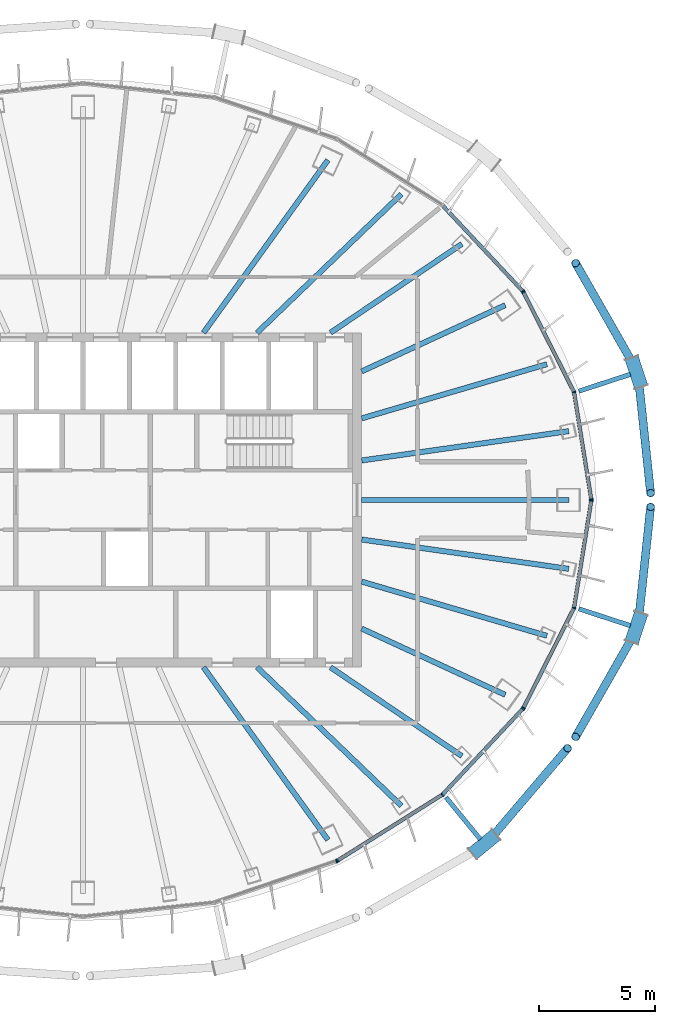
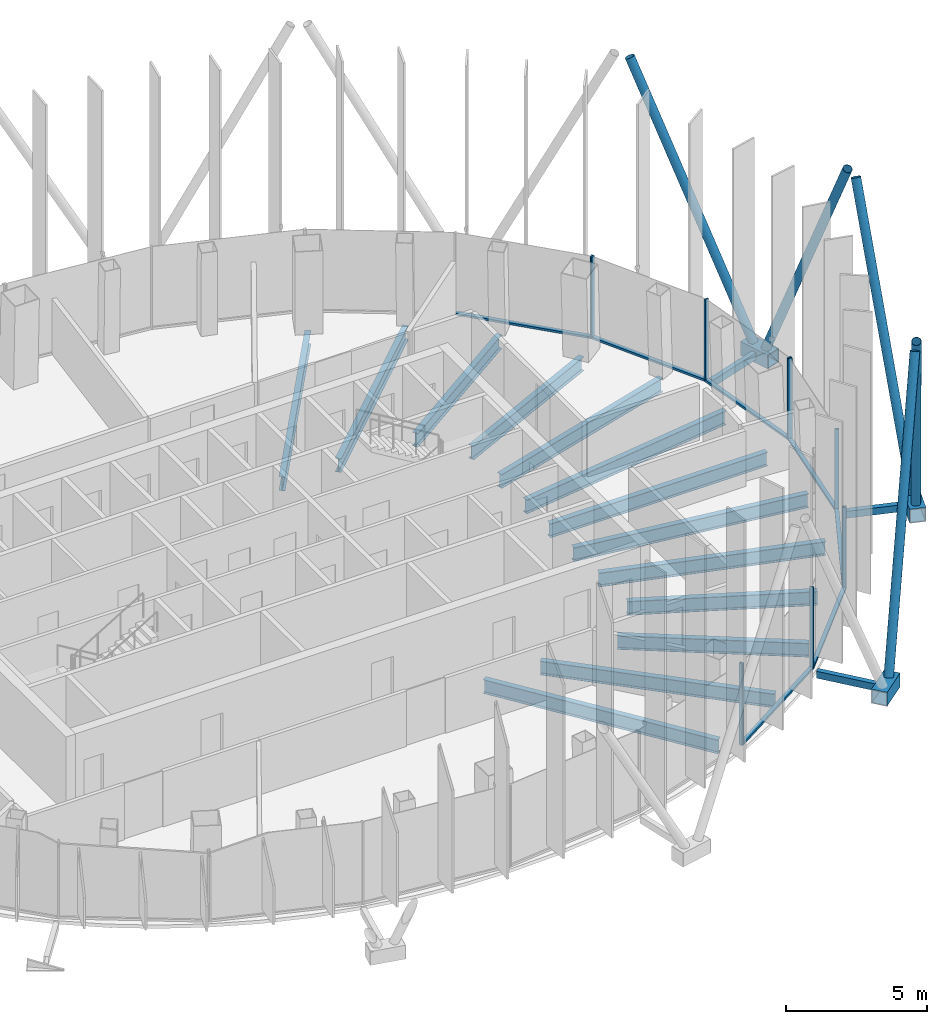
# One storey, part 6 of 19: 29 members, 13 beams, 5 elements without a shape of their own.
"""IFC4 building model written with IfcOpenShell, lengths in metres."""

from ifc_helpers import new_model, si_unit, direction, frame, origin, origin_2d, place, context, subcontext, project, spatial, rectangle, hollow_rectangle, hollow_circle, i_section, extrude, material, layer, layer_set, material_profile, profile_set, type_object, element, aggregate, save


model = new_model("IFC4")

# Units and contexts
model_context = context("Model", 3, precision=1e-05, world=origin(), true_north=direction((0.0, 1.0)))
body_context = subcontext(model_context, "Body", "Model", "MODEL_VIEW")
ifc_project = project(units=[si_unit("LENGTHUNIT", "METRE"), si_unit("AREAUNIT", "SQUARE_METRE"), si_unit("VOLUMEUNIT", "CUBIC_METRE"), si_unit("PLANEANGLEUNIT", "RADIAN"), si_unit("MASSUNIT", "GRAM", prefix="KILO")], contexts=[model_context])

# Site, building, storey
site_placement = place(None, origin())
site = spatial("IfcSite", under=ifc_project, at=site_placement, CompositionType="ELEMENT")
building_placement = place(site_placement, origin())
building = spatial("IfcBuilding", under=site, at=building_placement, Name="Siaravel Broadcast Tower", CompositionType="ELEMENT")
storey_placement = place(building_placement, frame((0.0, 0.0, 217.10009765625)))
storey = spatial("IfcBuildingStorey", under=building, at=storey_placement, Name="L52", CompositionType="ELEMENT", Elevation=217.10009765625)

# Beams
ifc_material_1 = material(Name="Steel S355", Category="steel")
ifc_material_profile_1 = material_profile(ifc_material_1, i_section(OverallWidth=0.2275390625, OverallDepth=0.6025390625, WebThickness=0.010498046875, FlangeThickness=0.014892578125, FilletRadius=0.0126953125, at=origin_2d()))
ifc_profile_set_1 = profile_set([ifc_material_profile_1], Name="Steel S355")
beam_type = type_object("IfcBeamType", Name="BM-UB 610x229x101", PredefinedType="BEAM", material=ifc_profile_set_1)
beam_1_placement = place(storey_placement, frame((20.92822265625, 0.0, -0.451416015625), z_axis=(-1.0, 0.0, 0.0), x_axis=(0.0, -1.0, 0.0)))
element("IfcBeam", 1, at=beam_1_placement, inside=storey, type_object=beam_type, Name="Radial beam RB01", PredefinedType="BEAM", context=body_context, shape_type="SweptSolid", body=[
    extrude(i_section(OverallWidth=0.2275390625, OverallDepth=0.6025390625, WebThickness=0.010498046875, FlangeThickness=0.014892578125, FilletRadius=0.0126953125, at=origin_2d()), origin(), (0.0, 0.0, 1.0), 8.92822265625),
])
beam_2_placement = place(storey_placement, frame((20.91162109375, 2.96484375, -0.451416015625), z_axis=(-0.990099205, -0.140369388, 0.0), x_axis=(0.140369388, -0.990099205, 0.0)))
element("IfcBeam", 2, at=beam_2_placement, inside=storey, type_object=beam_type, Name="Radial beam RB02", PredefinedType="BEAM", context=body_context, shape_type="SweptSolid", body=[
    extrude(i_section(OverallWidth=0.2275390625, OverallDepth=0.6025390625, WebThickness=0.010498046875, FlangeThickness=0.014892578125, FilletRadius=0.0126953125, at=origin_2d()), origin(), (0.0, 0.0, 1.0), 9.000732421875),
])
beam_3_placement = place(storey_placement, frame((19.96875, 5.846435546875, -0.451416015625), z_axis=(-0.959707048, -0.281002459, 0.0), x_axis=(0.281002459, -0.959707048, 0.0)))
element("IfcBeam", 3, at=beam_3_placement, inside=storey, type_object=beam_type, Name="Radial beam RB03", PredefinedType="BEAM", context=body_context, shape_type="SweptSolid", body=[
    extrude(i_section(OverallWidth=0.2275390625, OverallDepth=0.6025390625, WebThickness=0.010498046875, FlangeThickness=0.014892578125, FilletRadius=0.0126953125, at=origin_2d()), origin(), (0.0, 0.0, 1.0), 8.30322265625),
])
beam_4_placement = place(storey_placement, frame((18.177978515625, 8.38818359375, -0.451416015625), z_axis=(-0.907989838, -0.418992189, 0.0), x_axis=(0.418992189, -0.907989838, 0.0)))
element("IfcBeam", 4, at=beam_4_placement, inside=storey, type_object=beam_type, Name="Radial beam RB04", PredefinedType="BEAM", context=body_context, shape_type="SweptSolid", body=[
    extrude(i_section(OverallWidth=0.2275390625, OverallDepth=0.6025390625, WebThickness=0.010498046875, FlangeThickness=0.014892578125, FilletRadius=0.0126953125, at=origin_2d()), origin(), (0.0, 0.0, 1.0), 6.803955078125),
])
beam_5_placement = place(storey_placement, frame((16.31591796875, 11.02587890625, -0.451416015625), z_axis=(-0.828554475, -0.559908459, 0.0), x_axis=(0.559908459, -0.828554475, 0.0)))
element("IfcBeam", 5, at=beam_5_placement, inside=storey, type_object=beam_type, Name="Radial beam RB05", PredefinedType="BEAM", context=body_context, shape_type="SweptSolid", body=[
    extrude(i_section(OverallWidth=0.2275390625, OverallDepth=0.6025390625, WebThickness=0.010498046875, FlangeThickness=0.014892578125, FilletRadius=0.0126953125, at=origin_2d()), origin(), (0.0, 0.0, 1.0), 6.833251953125),
])
beam_6_placement = place(storey_placement, frame((13.706298828125, 13.162841796875, -0.451416015625), z_axis=(-0.721255826, -0.692668776, 0.0), x_axis=(0.692668776, -0.721255826, 0.0)))
element("IfcBeam", 6, at=beam_6_placement, inside=storey, type_object=beam_type, Name="Radial beam RB06", PredefinedType="BEAM", context=body_context, shape_type="SweptSolid", body=[
    extrude(i_section(OverallWidth=0.2275390625, OverallDepth=0.6025390625, WebThickness=0.010498046875, FlangeThickness=0.014892578125, FilletRadius=0.0126953125, at=origin_2d()), origin(), (0.0, 0.0, 1.0), 8.608642578125),
])
for number, where, z_axis, x_axis, name in (
    (7, (10.5439453125, 14.6318359375, -0.451416015625), (-0.584629048, -0.811300731, 0.0), (0.811300731, -0.584629048, 0.0), "Radial beam RB07"),
    (8, (10.5439453125, -14.6318359375, -0.451416015625), (-0.584629048, 0.811300731, 0.0), (-0.811300731, -0.584629048, 0.0), "Radial beam RB31"),
):
    element("IfcBeam", number, at=place(storey_placement, frame(where, z_axis=z_axis, x_axis=x_axis)), inside=storey, type_object=beam_type, Name=name, PredefinedType="BEAM", context=body_context, shape_type="SweptSolid", body=[
        extrude(i_section(OverallWidth=0.2275390625, OverallDepth=0.6025390625, WebThickness=0.010498046875, FlangeThickness=0.014892578125, FilletRadius=0.0126953125, at=origin_2d()), origin(), (0.0, 0.0, 1.0), 9.160400390625),
    ])
beam_7_placement = place(storey_placement, frame((13.706298828125, -13.162841796875, -0.451416015625), z_axis=(-0.721255826, 0.692668776, 0.0), x_axis=(-0.692668776, -0.721255826, 0.0)))
element("IfcBeam", 9, at=beam_7_placement, inside=storey, type_object=beam_type, Name="Radial beam RB32", PredefinedType="BEAM", context=body_context, shape_type="SweptSolid", body=[
    extrude(i_section(OverallWidth=0.2275390625, OverallDepth=0.6025390625, WebThickness=0.010498046875, FlangeThickness=0.014892578125, FilletRadius=0.0126953125, at=origin_2d()), origin(), (0.0, 0.0, 1.0), 8.608642578125),
])
beam_8_placement = place(storey_placement, frame((16.31591796875, -11.02587890625, -0.451416015625), z_axis=(-0.828554475, 0.559908459, 0.0), x_axis=(-0.559908459, -0.828554475, 0.0)))
element("IfcBeam", 10, at=beam_8_placement, inside=storey, type_object=beam_type, Name="Radial beam RB33", PredefinedType="BEAM", context=body_context, shape_type="SweptSolid", body=[
    extrude(i_section(OverallWidth=0.2275390625, OverallDepth=0.6025390625, WebThickness=0.010498046875, FlangeThickness=0.014892578125, FilletRadius=0.0126953125, at=origin_2d()), origin(), (0.0, 0.0, 1.0), 6.833251953125),
])
beam_9_placement = place(storey_placement, frame((18.177978515625, -8.38818359375, -0.451416015625), z_axis=(-0.907989838, 0.418992189, 0.0), x_axis=(-0.418992189, -0.907989838, 0.0)))
element("IfcBeam", 11, at=beam_9_placement, inside=storey, type_object=beam_type, Name="Radial beam RB34", PredefinedType="BEAM", context=body_context, shape_type="SweptSolid", body=[
    extrude(i_section(OverallWidth=0.2275390625, OverallDepth=0.6025390625, WebThickness=0.010498046875, FlangeThickness=0.014892578125, FilletRadius=0.0126953125, at=origin_2d()), origin(), (0.0, 0.0, 1.0), 6.803955078125),
])
beam_10_placement = place(storey_placement, frame((19.96875, -5.846435546875, -0.451416015625), z_axis=(-0.959707048, 0.281002459, 0.0), x_axis=(-0.281002459, -0.959707048, 0.0)))
element("IfcBeam", 12, at=beam_10_placement, inside=storey, type_object=beam_type, Name="Radial beam RB35", PredefinedType="BEAM", context=body_context, shape_type="SweptSolid", body=[
    extrude(i_section(OverallWidth=0.2275390625, OverallDepth=0.6025390625, WebThickness=0.010498046875, FlangeThickness=0.014892578125, FilletRadius=0.0126953125, at=origin_2d()), origin(), (0.0, 0.0, 1.0), 8.30322265625),
])
beam_11_placement = place(storey_placement, frame((20.91162109375, -2.96484375, -0.451416015625), z_axis=(-0.990099205, 0.140369388, 0.0), x_axis=(-0.140369388, -0.990099205, 0.0)))
element("IfcBeam", 13, at=beam_11_placement, inside=storey, type_object=beam_type, Name="Radial beam RB36", PredefinedType="BEAM", context=body_context, shape_type="SweptSolid", body=[
    extrude(i_section(OverallWidth=0.2275390625, OverallDepth=0.6025390625, WebThickness=0.010498046875, FlangeThickness=0.014892578125, FilletRadius=0.0126953125, at=origin_2d()), origin(), (0.0, 0.0, 1.0), 9.000732421875),
])

# Curtain wall, members
ifc_material_2 = material(Name="Aluminium 6063-T6", Category="aluminium")
ifc_layer = layer(ifc_material_2, 0.159912109375)
ifc_layer_set = layer_set([ifc_layer], Name="Aluminium 6063-T6")
curtain_wall_type = type_object("IfcCurtainWallType", Name="Unitised curtain wall, zone 4", PredefinedType="NOTDEFINED", material=ifc_layer_set)
curtain_wall_1_placement = place(storey_placement, origin())
curtain_wall_1 = element("IfcCurtainWall", 14, at=curtain_wall_1_placement, inside=storey, type_object=curtain_wall_type, Name="L52 Unitised curtain wall, zone 4 01", PredefinedType="NOTDEFINED")
ifc_material_profile_2 = material_profile(ifc_material_2, rectangle(XDim=0.159912109375, YDim=0.054931640625, at=origin_2d()))
ifc_profile_set_2 = profile_set([ifc_material_profile_2], Name="Aluminium 6063-T6")
member_type_1 = type_object("IfcMemberType", Name="CW-Z4 mullion", PredefinedType="MULLION", material=ifc_profile_set_2)
member_1_placement = place(storey_placement, frame((21.8818359375, 0.027099609375, 0.0), z_axis=(0.0, 0.0, 1.0), x_axis=(-0.987329271, -0.158684943, 0.0)))
member_1 = element("IfcMember", 15, at=member_1_placement, type_object=member_type_1, Name="CW-Z4 mullion 1", PredefinedType="MULLION", context=body_context, shape_type="SweptSolid", body=[
    extrude(rectangle(XDim=0.159912109375, YDim=0.054931640625, at=origin_2d()), origin(), (0.0, 0.0, 1.0), 3.5498046875),
])
member_2_placement = place(storey_placement, frame((21.1396484375, 4.64501953125, 0.0), z_axis=(0.0, 0.0, 1.0), x_axis=(-0.951177504, -0.308644385, 0.0)))
member_2 = element("IfcMember", 16, at=member_2_placement, type_object=member_type_1, Name="CW-Z4 mullion 2", PredefinedType="MULLION", context=body_context, shape_type="SweptSolid", body=[
    extrude(rectangle(XDim=0.159912109375, YDim=0.054931640625, at=origin_2d()), origin(), (0.0, 0.0, 1.0), 3.5498046875),
])
member_3_placement = place(storey_placement, frame((18.964111328125, 8.947509765625, 0.0), z_axis=(0.0, 0.0, 1.0), x_axis=(-0.892392673, -0.451259701, 0.0)))
member_3 = element("IfcMember", 17, at=member_3_placement, type_object=member_type_1, Name="CW-Z4 mullion 3", PredefinedType="MULLION", context=body_context, shape_type="SweptSolid", body=[
    extrude(rectangle(XDim=0.159912109375, YDim=0.054931640625, at=origin_2d()), origin(), (0.0, 0.0, 1.0), 3.5498046875),
])

# Curtain wall, member
curtain_wall_2_placement = place(storey_placement, origin())
curtain_wall_2 = element("IfcCurtainWall", 18, at=curtain_wall_2_placement, inside=storey, type_object=curtain_wall_type, Name="L52 Unitised curtain wall, zone 4 02", PredefinedType="NOTDEFINED")
member_4_placement = place(storey_placement, frame((18.932861328125, 8.991943359375, 0.0), z_axis=(0.0, 0.0, 1.0), x_axis=(-0.729806178, -0.68365411, 0.0)))
member_4 = element("IfcMember", 19, at=member_4_placement, type_object=member_type_1, Name="CW-Z4 mullion 1", PredefinedType="MULLION", context=body_context, shape_type="SweptSolid", body=[
    extrude(rectangle(XDim=0.159912109375, YDim=0.054931640625, at=origin_2d()), origin(), (0.0, 0.0, 1.0), 3.5498046875),
])

curtain_wall_3_placement = place(storey_placement, origin())
curtain_wall_3 = element("IfcCurtainWall", 20, at=curtain_wall_3_placement, inside=storey, type_object=curtain_wall_type, Name="L52 Unitised curtain wall, zone 4 10", PredefinedType="NOTDEFINED")
member_5_placement = place(storey_placement, frame((10.913330078125, -15.5439453125, 0.0), z_axis=(0.0, 0.0, 1.0), x_axis=(-0.321301242, 0.946977039, 0.0)))
member_5 = element("IfcMember", 21, at=member_5_placement, type_object=member_type_1, Name="CW-Z4 mullion 3", PredefinedType="MULLION", context=body_context, shape_type="SweptSolid", body=[
    extrude(rectangle(XDim=0.159912109375, YDim=0.054931640625, at=origin_2d()), origin(), (0.0, 0.0, 1.0), 3.5498046875),
])
aggregate(curtain_wall_3, [member_5])

# Curtain wall, members
curtain_wall_4_placement = place(storey_placement, origin())
curtain_wall_4 = element("IfcCurtainWall", 22, at=curtain_wall_4_placement, inside=storey, type_object=curtain_wall_type, Name="L52 Unitised curtain wall, zone 4 11", PredefinedType="NOTDEFINED")
member_6_placement = place(storey_placement, frame((10.962890625, -15.5205078125, 0.0), z_axis=(0.0, 0.0, 1.0), x_axis=(-0.53215013, 0.84665001, 0.0)))
member_6 = element("IfcMember", 23, at=member_6_placement, type_object=member_type_1, Name="CW-Z4 mullion 1", PredefinedType="MULLION", context=body_context, shape_type="SweptSolid", body=[
    extrude(rectangle(XDim=0.159912109375, YDim=0.054931640625, at=origin_2d()), origin(), (0.0, 0.0, 1.0), 3.5498046875),
])
member_7_placement = place(storey_placement, frame((15.47216796875, -12.686279296875, 0.0), z_axis=(0.0, 0.0, 1.0), x_axis=(-0.636219575, 0.771508038, 0.0)))
member_7 = element("IfcMember", 24, at=member_7_placement, type_object=member_type_1, Name="CW-Z4 mullion 2", PredefinedType="MULLION", context=body_context, shape_type="SweptSolid", body=[
    extrude(rectangle(XDim=0.159912109375, YDim=0.054931640625, at=origin_2d()), origin(), (0.0, 0.0, 1.0), 3.5498046875),
])
member_8_placement = place(storey_placement, frame((18.932861328125, -8.991943359375, 0.0), z_axis=(0.0, 0.0, 1.0), x_axis=(-0.729806178, 0.68365411, 0.0)))
member_8 = element("IfcMember", 25, at=member_8_placement, type_object=member_type_1, Name="CW-Z4 mullion 3", PredefinedType="MULLION", context=body_context, shape_type="SweptSolid", body=[
    extrude(rectangle(XDim=0.159912109375, YDim=0.054931640625, at=origin_2d()), origin(), (0.0, 0.0, 1.0), 3.5498046875),
])

curtain_wall_5_placement = place(storey_placement, origin())
curtain_wall_5 = element("IfcCurtainWall", 26, at=curtain_wall_5_placement, inside=storey, type_object=curtain_wall_type, Name="L52 Unitised curtain wall, zone 4 12", PredefinedType="NOTDEFINED")
member_9_placement = place(storey_placement, frame((18.964111328125, -8.947509765625, 0.0), z_axis=(0.0, 0.0, 1.0), x_axis=(-0.892392673, 0.451259701, 0.0)))
member_9 = element("IfcMember", 27, at=member_9_placement, type_object=member_type_1, Name="CW-Z4 mullion 1", PredefinedType="MULLION", context=body_context, shape_type="SweptSolid", body=[
    extrude(rectangle(XDim=0.159912109375, YDim=0.054931640625, at=origin_2d()), origin(), (0.0, 0.0, 1.0), 3.5498046875),
])
member_10_placement = place(storey_placement, frame((21.1396484375, -4.64501953125, 0.0), z_axis=(0.0, 0.0, 1.0), x_axis=(-0.951177504, 0.308644385, 0.0)))
member_10 = element("IfcMember", 28, at=member_10_placement, type_object=member_type_1, Name="CW-Z4 mullion 2", PredefinedType="MULLION", context=body_context, shape_type="SweptSolid", body=[
    extrude(rectangle(XDim=0.159912109375, YDim=0.054931640625, at=origin_2d()), origin(), (0.0, 0.0, 1.0), 3.5498046875),
])
member_11_placement = place(storey_placement, frame((21.8818359375, -0.027099609375, 0.0), z_axis=(0.0, 0.0, 1.0), x_axis=(-0.987329271, 0.158684943, 0.0)))
member_11 = element("IfcMember", 29, at=member_11_placement, type_object=member_type_1, Name="CW-Z4 mullion 3", PredefinedType="MULLION", context=body_context, shape_type="SweptSolid", body=[
    extrude(rectangle(XDim=0.159912109375, YDim=0.054931640625, at=origin_2d()), origin(), (0.0, 0.0, 1.0), 3.5498046875),
])

# Member
ifc_material_profile_3 = material_profile(ifc_material_2, rectangle(XDim=0.159912109375, YDim=0.090087890625, at=origin_2d()))
ifc_profile_set_3 = profile_set([ifc_material_profile_3], Name="Aluminium 6063-T6")
member_type_2 = type_object("IfcMemberType", Name="CW-Z4 transom", PredefinedType="USERDEFINED", material=ifc_profile_set_3)
member_12_placement = place(storey_placement, frame((21.87744140625, 0.05419921875, 0.044921875), z_axis=(-0.158674417, 0.987330962, 0.0), x_axis=(-0.987330962, -0.158674417, 0.0)))
member_12 = element("IfcMember", 30, at=member_12_placement, type_object=member_type_2, Name="CW-Z4 transom 1", ObjectType="TRANSOM", PredefinedType="USERDEFINED", context=body_context, shape_type="SweptSolid", body=[
    extrude(rectangle(XDim=0.159912109375, YDim=0.090087890625, at=origin_2d()), origin(), (0.0, 0.0, 1.0), 4.6220703125),
])

member_13_placement = place(storey_placement, frame((21.127197265625, 4.66943359375, 0.044921875), z_axis=(-0.451265777, 0.8923896, 0.0), x_axis=(-0.8923896, -0.451265777, 0.0)))
member_13 = element("IfcMember", 31, at=member_13_placement, type_object=member_type_2, Name="CW-Z4 transom 2", ObjectType="TRANSOM", PredefinedType="USERDEFINED", context=body_context, shape_type="SweptSolid", body=[
    extrude(rectangle(XDim=0.159912109375, YDim=0.090087890625, at=origin_2d()), origin(), (0.0, 0.0, 1.0), 4.766357421875),
])

aggregate(curtain_wall_1, [member_1, member_2, member_3, member_12, member_13])

member_14_placement = place(storey_placement, frame((18.9140625, 9.01220703125, 0.044921875), z_axis=(-0.683691298, 0.72977134, 0.0), x_axis=(-0.72977134, -0.683691298, 0.0)))
member_14 = element("IfcMember", 32, at=member_14_placement, type_object=member_type_2, Name="CW-Z4 transom 1", ObjectType="TRANSOM", PredefinedType="USERDEFINED", context=body_context, shape_type="SweptSolid", body=[
    extrude(rectangle(XDim=0.159912109375, YDim=0.090087890625, at=origin_2d()), origin(), (0.0, 0.0, 1.0), 5.0068359375),
])

aggregate(curtain_wall_2, [member_4, member_14])

member_15_placement = place(storey_placement, frame((10.986083984375, -15.505859375, 0.044921875), z_axis=(0.846642511, 0.53216206, 0.0), x_axis=(-0.53216206, 0.846642511, 0.0)))
member_15 = element("IfcMember", 33, at=member_15_placement, type_object=member_type_2, Name="CW-Z4 transom 1", ObjectType="TRANSOM", PredefinedType="USERDEFINED", context=body_context, shape_type="SweptSolid", body=[
    extrude(rectangle(XDim=0.159912109375, YDim=0.090087890625, at=origin_2d()), origin(), (0.0, 0.0, 1.0), 5.271240234375),
])

member_16_placement = place(storey_placement, frame((15.490966796875, -12.666015625, 0.044921875), z_axis=(0.683691298, 0.72977134, 0.0), x_axis=(-0.72977134, 0.683691298, 0.0)))
member_16 = element("IfcMember", 34, at=member_16_placement, type_object=member_type_2, Name="CW-Z4 transom 2", ObjectType="TRANSOM", PredefinedType="USERDEFINED", context=body_context, shape_type="SweptSolid", body=[
    extrude(rectangle(XDim=0.159912109375, YDim=0.090087890625, at=origin_2d()), origin(), (0.0, 0.0, 1.0), 5.0068359375),
])

aggregate(curtain_wall_4, [member_6, member_7, member_8, member_15, member_16])

member_17_placement = place(storey_placement, frame((18.976318359375, -8.9228515625, 0.044921875), z_axis=(0.451265777, 0.8923896, 0.0), x_axis=(-0.8923896, 0.451265777, 0.0)))
member_17 = element("IfcMember", 35, at=member_17_placement, type_object=member_type_2, Name="CW-Z4 transom 1", ObjectType="TRANSOM", PredefinedType="USERDEFINED", context=body_context, shape_type="SweptSolid", body=[
    extrude(rectangle(XDim=0.159912109375, YDim=0.090087890625, at=origin_2d()), origin(), (0.0, 0.0, 1.0), 4.766357421875),
])

member_18_placement = place(storey_placement, frame((21.14404296875, -4.61767578125, 0.044921875), z_axis=(0.158674417, 0.987330962, 0.0), x_axis=(-0.987330962, 0.158674417, 0.0)))
member_18 = element("IfcMember", 36, at=member_18_placement, type_object=member_type_2, Name="CW-Z4 transom 2", ObjectType="TRANSOM", PredefinedType="USERDEFINED", context=body_context, shape_type="SweptSolid", body=[
    extrude(rectangle(XDim=0.159912109375, YDim=0.090087890625, at=origin_2d()), origin(), (0.0, 0.0, 1.0), 4.6220703125),
])

aggregate(curtain_wall_5, [member_9, member_10, member_11, member_17, member_18])

# Members
ifc_material_3 = material(Name="Steel S460", Category="steel")
ifc_material_profile_4 = material_profile(ifc_material_3, hollow_circle(Radius=0.177734375, WallThickness=0.012451171875, at=origin_2d()))
ifc_profile_set_4 = profile_set([ifc_material_profile_4], Name="Steel S460")
member_type_3 = type_object("IfcMemberType", Name="Diagrid diagonal CHS 355.6x12.5", PredefinedType="BRACE", material=ifc_profile_set_4)
member_19_placement = place(storey_placement, frame((23.916015625, 5.214111328125, 0.06982421875), z_axis=(0.044443242, -0.420156524, 0.906362672), x_axis=(0.99445204, 0.105190971, 0.0)))
element("IfcMember", 37, at=member_19_placement, inside=storey, type_object=member_type_3, Name="Diagrid diagonal R22 station 03C", PredefinedType="BRACE", context=body_context, shape_type="SweptSolid", body=[
    extrude(hollow_circle(Radius=0.177734375, WallThickness=0.012451171875, at=origin_2d()), origin(), (0.0, 0.0, 1.0), 11.706298828125),
])
member_20_placement = place(storey_placement, frame((23.732177734375, 5.77587890625, 0.06982421875), z_axis=(-0.214611161, 0.375849568, 0.901487189), x_axis=(-0.868402365, -0.495860195, 0.0)))
element("IfcMember", 38, at=member_20_placement, inside=storey, type_object=member_type_3, Name="Diagrid diagonal R22 station 03A", PredefinedType="BRACE", context=body_context, shape_type="SweptSolid", body=[
    extrude(hollow_circle(Radius=0.177734375, WallThickness=0.012451171875, at=origin_2d()), origin(), (0.0, 0.0, 1.0), 11.76953125),
])
member_21_placement = place(storey_placement, frame((17.5078125, -14.6279296875, 0.06982421875), z_axis=(0.284370555, 0.334140055, 0.89860103), x_axis=(-0.761543844, 0.648113396, 0.0)))
element("IfcMember", 39, at=member_21_placement, inside=storey, type_object=member_type_3, Name="Diagrid diagonal R22 station 63A", PredefinedType="BRACE", context=body_context, shape_type="SweptSolid", body=[
    extrude(hollow_circle(Radius=0.177734375, WallThickness=0.012451171875, at=origin_2d()), origin(), (0.0, 0.0, 1.0), 11.807373046875),
])
member_22_placement = place(storey_placement, frame((23.732177734375, -5.77587890625, 0.06982421875), z_axis=(-0.214611161, -0.375849568, 0.901487189), x_axis=(0.868402365, -0.495860195, 0.0)))
element("IfcMember", 40, at=member_22_placement, inside=storey, type_object=member_type_3, Name="Diagrid diagonal R22 station 69C", PredefinedType="BRACE", context=body_context, shape_type="SweptSolid", body=[
    extrude(hollow_circle(Radius=0.177734375, WallThickness=0.012451171875, at=origin_2d()), origin(), (0.0, 0.0, 1.0), 11.76953125),
])
member_23_placement = place(storey_placement, frame((23.916015625, -5.214111328125, 0.06982421875), z_axis=(0.044443242, 0.420156524, 0.906362672), x_axis=(-0.99445204, 0.105190971, 0.0)))
element("IfcMember", 41, at=member_23_placement, inside=storey, type_object=member_type_3, Name="Diagrid diagonal R22 station 69A", PredefinedType="BRACE", context=body_context, shape_type="SweptSolid", body=[
    extrude(hollow_circle(Radius=0.177734375, WallThickness=0.012451171875, at=origin_2d()), origin(), (0.0, 0.0, 1.0), 11.706298828125),
])
ifc_material_profile_5 = material_profile(ifc_material_3, hollow_rectangle(XDim=0.60009765625, YDim=0.60009765625, WallThickness=0.031982421875, at=origin_2d()))
ifc_profile_set_5 = profile_set([ifc_material_profile_5], Name="Steel S460")
member_type_4 = type_object("IfcMemberType", Name="Diagrid node BOX 600x600x32", PredefinedType="USERDEFINED", material=ifc_profile_set_5)
member_24_placement = place(storey_placement, frame((24.025146484375, 4.880126953125, -0.2001953125), z_axis=(-0.310843783, 0.950461016, 0.0), x_axis=(-0.950461016, -0.310843783, 0.0)))
element("IfcMember", 42, at=member_24_placement, inside=storey, type_object=member_type_4, Name="Diagrid node R22 station 03", ObjectType="DIAGRID NODE", PredefinedType="USERDEFINED", context=body_context, shape_type="SweptSolid", body=[
    extrude(hollow_rectangle(XDim=0.60009765625, YDim=0.60009765625, WallThickness=0.031982421875, at=origin_2d()), origin(), (0.0, 0.0, 1.0), 1.29345703125),
])
member_25_placement = place(storey_placement, frame((16.77880859375, -15.22509765625, -0.2001953125), z_axis=(0.773578687, 0.633700257, 0.0), x_axis=(-0.633700257, 0.773578687, 0.0)))
element("IfcMember", 43, at=member_25_placement, inside=storey, type_object=member_type_4, Name="Diagrid node R22 station 63", ObjectType="DIAGRID NODE", PredefinedType="USERDEFINED", context=body_context, shape_type="SweptSolid", body=[
    extrude(hollow_rectangle(XDim=0.60009765625, YDim=0.60009765625, WallThickness=0.031982421875, at=origin_2d()), origin(), (0.0, 0.0, 1.0), 1.293212890625),
])
member_26_placement = place(storey_placement, frame((23.623046875, -6.109619140625, -0.2001953125), z_axis=(0.310843783, 0.950461016, 0.0), x_axis=(-0.950461016, 0.310843783, 0.0)))
element("IfcMember", 44, at=member_26_placement, inside=storey, type_object=member_type_4, Name="Diagrid node R22 station 69", ObjectType="DIAGRID NODE", PredefinedType="USERDEFINED", context=body_context, shape_type="SweptSolid", body=[
    extrude(hollow_rectangle(XDim=0.60009765625, YDim=0.60009765625, WallThickness=0.031982421875, at=origin_2d()), origin(), (0.0, 0.0, 1.0), 1.29345703125),
])
ifc_material_profile_6 = material_profile(ifc_material_3, hollow_rectangle(XDim=0.199951171875, YDim=0.300048828125, WallThickness=0.012451171875, at=origin_2d()))
ifc_profile_set_6 = profile_set([ifc_material_profile_6], Name="Steel S460")
member_type_5 = type_object("IfcMemberType", Name="Diagrid node arm RHS 300x200x12.5", PredefinedType="STRUT", material=ifc_profile_set_6)
member_27_placement = place(storey_placement, frame((21.352783203125, 4.6865234375, -0.2001953125), z_axis=(0.950449489, 0.310879025, 0.0), x_axis=(-0.310879025, 0.950449489, 0.0)))
element("IfcMember", 45, at=member_27_placement, inside=storey, type_object=member_type_5, Name="Node arm R22 station 03", PredefinedType="STRUT", context=body_context, shape_type="SweptSolid", body=[
    extrude(hollow_rectangle(XDim=0.199951171875, YDim=0.300048828125, WallThickness=0.012451171875, at=origin_2d()), origin(), (0.0, 0.0, 1.0), 2.330078125),
])
member_28_placement = place(storey_placement, frame((15.63134765625, -12.803955078125, -0.2001953125), z_axis=(0.63375121, -0.773536944, 0.0), x_axis=(0.773536944, 0.63375121, 0.0)))
element("IfcMember", 46, at=member_28_placement, inside=storey, type_object=member_type_5, Name="Node arm R22 station 63", PredefinedType="STRUT", context=body_context, shape_type="SweptSolid", body=[
    extrude(hollow_rectangle(XDim=0.199951171875, YDim=0.300048828125, WallThickness=0.012451171875, at=origin_2d()), origin(), (0.0, 0.0, 1.0), 2.329833984375),
])
member_29_placement = place(storey_placement, frame((21.352783203125, -4.6865234375, -0.2001953125), z_axis=(0.950449489, -0.310879025, 0.0), x_axis=(0.310879025, 0.950449489, 0.0)))
element("IfcMember", 47, at=member_29_placement, inside=storey, type_object=member_type_5, Name="Node arm R22 station 69", PredefinedType="STRUT", context=body_context, shape_type="SweptSolid", body=[
    extrude(hollow_rectangle(XDim=0.199951171875, YDim=0.300048828125, WallThickness=0.012451171875, at=origin_2d()), origin(), (0.0, 0.0, 1.0), 2.330078125),
])

save(model, "model.ifc")
